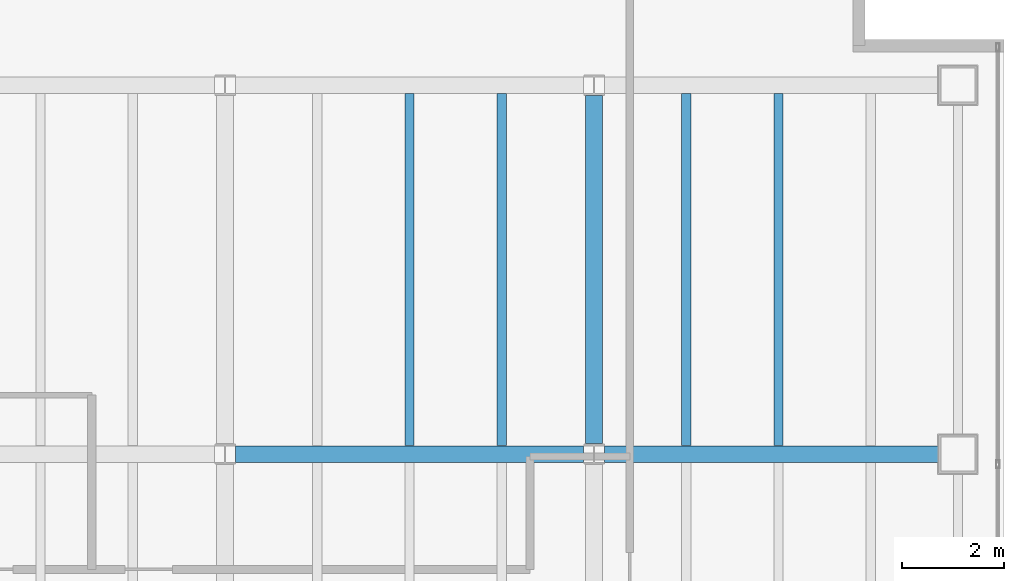
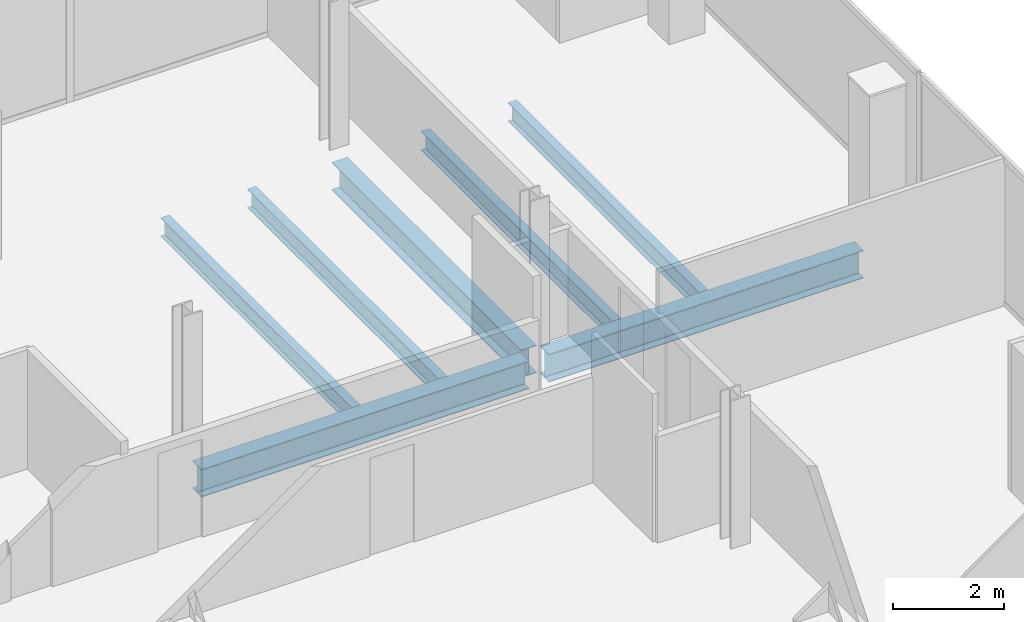
# One storey, part 13 of 23: 7 beams.
"""IFC4 building model written with IfcOpenShell, lengths in metres."""

from ifc_helpers import new_model, si_unit, direction, frame, origin, origin_2d, place, context, subcontext, project, spatial, i_section, extrude, material, material_profile, profile_set, type_object, element, save


model = new_model("IFC4")

# Units and contexts
model_context = context("Model", 3, precision=1e-05, world=origin(), true_north=direction((0.0, 1.0)))
body_context = subcontext(model_context, "Body", "Model", "MODEL_VIEW")
ifc_project = project(units=[si_unit("LENGTHUNIT", "METRE"), si_unit("AREAUNIT", "SQUARE_METRE"), si_unit("VOLUMEUNIT", "CUBIC_METRE"), si_unit("PLANEANGLEUNIT", "RADIAN"), si_unit("MASSUNIT", "GRAM", prefix="KILO")], contexts=[model_context])

# Site, building, storey
site_placement = place(None, origin())
site = spatial("IfcSite", under=ifc_project, at=site_placement, CompositionType="ELEMENT")
building_placement = place(site_placement, origin())
building = spatial("IfcBuilding", under=site, at=building_placement, Name="Cobrela Telecom Tower", CompositionType="ELEMENT")
storey_placement = place(building_placement, frame((0.0, 0.0, 229.25)))
storey = spatial("IfcBuildingStorey", under=building, at=storey_placement, Name="L59", CompositionType="ELEMENT", Elevation=229.25)

# Beams
ifc_material = material(Name="Steel ASTM A992 Grade 50", Category="steel")
ifc_material_profile_1 = material_profile(ifc_material, i_section(OverallWidth=0.324951171875, OverallDepth=0.612060546875, WebThickness=0.0126953125, FlangeThickness=0.01904296875, FilletRadius=0.014892578125, at=origin_2d()), Name="W24X104")
ifc_profile_set_1 = profile_set([ifc_material_profile_1], Name="Steel ASTM A992 Grade 50")
beam_type_1 = type_object("IfcBeamType", Name="BM-GIRD-07", PredefinedType="USERDEFINED", material=ifc_profile_set_1)
beam_1_placement = place(storey_placement, frame((29.00439453125, 14.39990234375, -0.56591796875), z_axis=(1.0, 0.0, 0.0), x_axis=(0.0, 1.0, 0.0)))
element("IfcBeam", 1, at=beam_1_placement, inside=storey, type_object=beam_type_1, Name="L59 Primary Girder X13", ObjectType="GIRDER", PredefinedType="USERDEFINED", context=body_context, shape_type="SweptSolid", body=[
    extrude(i_section(OverallWidth=0.324951171875, OverallDepth=0.612060546875, WebThickness=0.0126953125, FlangeThickness=0.01904296875, FilletRadius=0.014892578125, at=origin_2d()), origin(), (0.0, 0.0, 1.0), 6.791015625),
])
beam_2_placement = place(storey_placement, frame((36.20458984375, 14.39990234375, -0.56591796875), z_axis=(1.0, 0.0, 0.0), x_axis=(0.0, 1.0, 0.0)))
element("IfcBeam", 2, at=beam_2_placement, inside=storey, type_object=beam_type_1, Name="L59 Primary Girder X14", ObjectType="GIRDER", PredefinedType="USERDEFINED", context=body_context, shape_type="SweptSolid", body=[
    extrude(i_section(OverallWidth=0.324951171875, OverallDepth=0.612060546875, WebThickness=0.0126953125, FlangeThickness=0.01904296875, FilletRadius=0.014892578125, at=origin_2d()), origin(), (0.0, 0.0, 1.0), 6.515380859375),
])
beam_3_placement = place(storey_placement, frame((36.0, 14.6044921875, -0.56591796875), z_axis=(0.0, 1.0, 0.0), x_axis=(-1.0, 0.0, 0.0)))
element("IfcBeam", 3, at=beam_3_placement, inside=storey, type_object=beam_type_1, Name="L59 Primary Girder Y41", ObjectType="GIRDER", PredefinedType="USERDEFINED", context=body_context, shape_type="SweptSolid", body=[
    extrude(i_section(OverallWidth=0.324951171875, OverallDepth=0.612060546875, WebThickness=0.0126953125, FlangeThickness=0.01904296875, FilletRadius=0.014892578125, at=origin_2d()), origin(), (0.0, 0.0, 1.0), 6.791015625),
])
ifc_material_profile_2 = material_profile(ifc_material, i_section(OverallWidth=0.179931640625, OverallDepth=0.4169921875, WebThickness=0.010986328125, FlangeThickness=0.01806640625, FilletRadius=0.011962890625, at=origin_2d()), Name="W16X57")
ifc_profile_set_2 = profile_set([ifc_material_profile_2], Name="Steel ASTM A992 Grade 50")
beam_type_2 = type_object("IfcBeamType", Name="BM-JOIST-04", PredefinedType="JOIST", material=ifc_profile_set_2)
for number, where, z_axis, x_axis, name in (
    (4, (32.39990234375, 14.5673828125, -0.468505859375), (0.0, 1.0, 0.0), (-1.0, 0.0, 0.0), "L59 Secondary Composite Floor Beam J22"),
    (5, (34.199951171875, 14.5673828125, -0.468505859375), (0.0, 1.0, 0.0), (-1.0, 0.0, 0.0), "L59 Secondary Composite Floor Beam J24"),
    (6, (37.800048828125, 14.5673828125, -0.468505859375), (0.0, 1.0, 0.0), (-1.0, 0.0, 0.0), "L59 Secondary Composite Floor Beam J26"),
    (7, (39.60009765625, 14.5673828125, -0.468505859375), (0.0, 1.0, 0.0), (-1.0, 0.0, 0.0), "L59 Secondary Composite Floor Beam J28"),
):
    element("IfcBeam", number, at=place(storey_placement, frame(where, z_axis=z_axis, x_axis=x_axis)), inside=storey, type_object=beam_type_2, Name=name, PredefinedType="JOIST", context=body_context, shape_type="SweptSolid", body=[
        extrude(i_section(OverallWidth=0.179931640625, OverallDepth=0.4169921875, WebThickness=0.010986328125, FlangeThickness=0.01806640625, FilletRadius=0.011962890625, at=origin_2d()), origin(), (0.0, 0.0, 1.0), 6.865234375),
    ])

save(model, "model.ifc")
